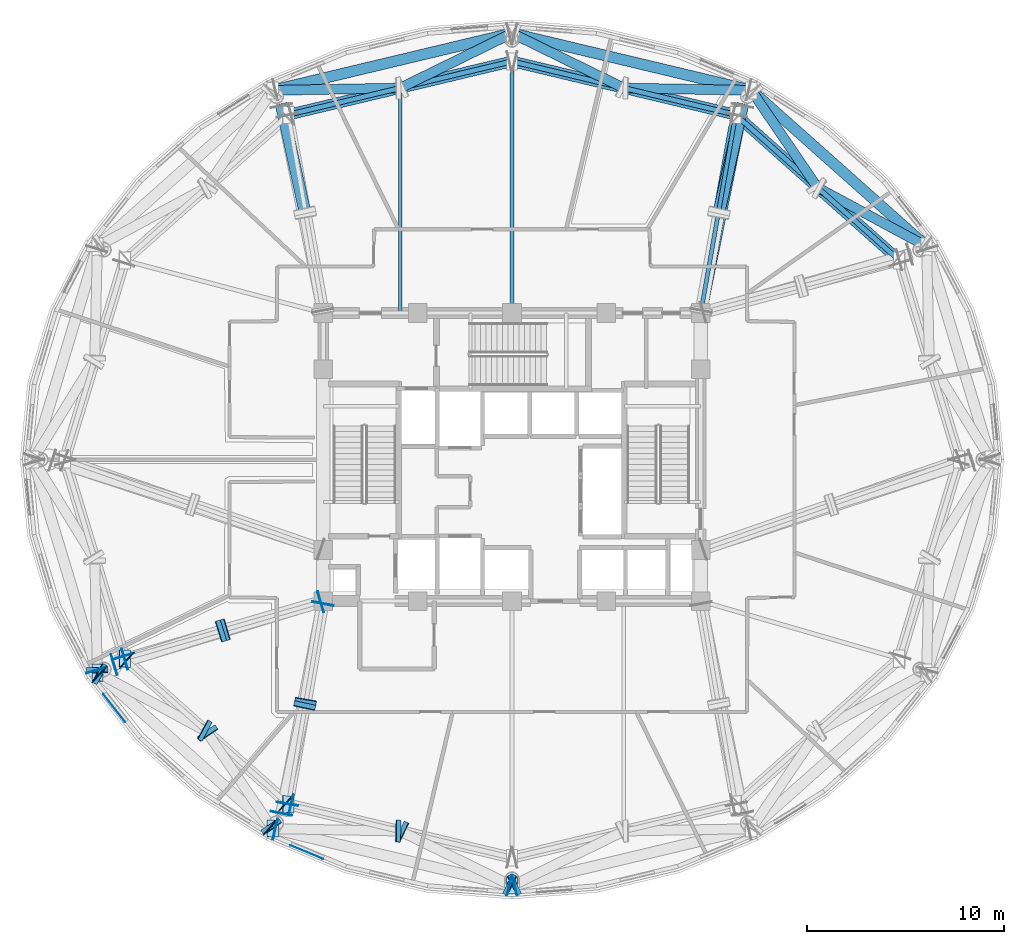
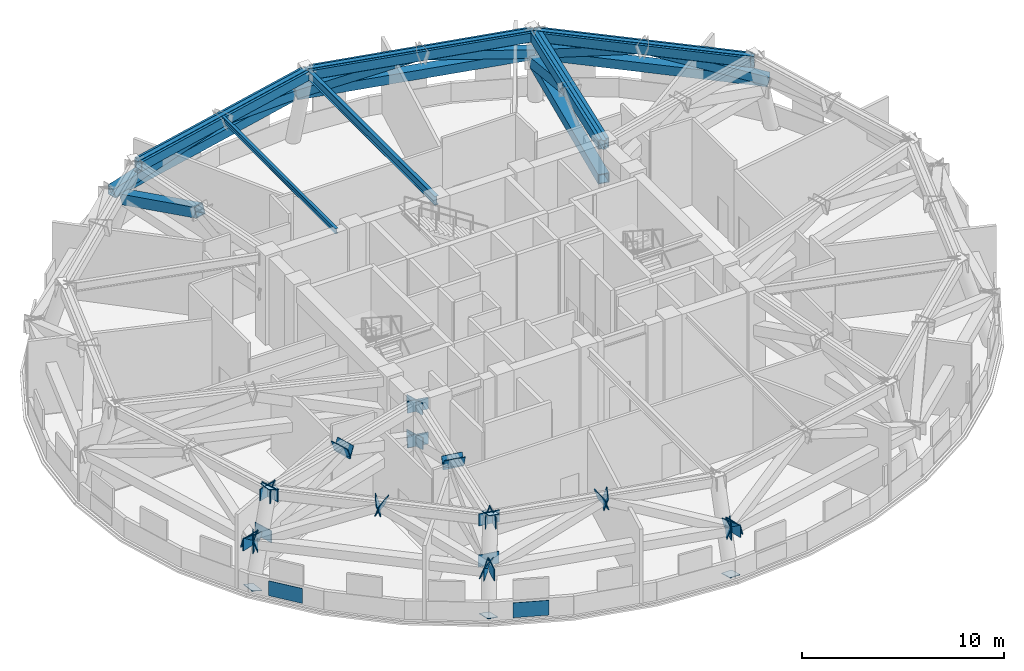
# One storey, part 3 of 13: 38 plates, 16 members, 6 beams.
"""IFC4 building model written with IfcOpenShell, lengths in metres."""

from ifc_helpers import new_model, si_unit, direction, frame, origin, origin_2d, place, context, subcontext, project, spatial, polyline, rectangle, hollow_rectangle, i_section, outline, extrude, material, layer, layer_set, material_profile, profile_set, type_object, element, save


model = new_model("IFC4")

# Units and contexts
model_context = context("Model", 3, precision=1e-05, world=origin(), true_north=direction((0.0, 1.0)))
body_context = subcontext(model_context, "Body", "Model", "MODEL_VIEW")
ifc_project = project(units=[si_unit("LENGTHUNIT", "METRE"), si_unit("AREAUNIT", "SQUARE_METRE"), si_unit("VOLUMEUNIT", "CUBIC_METRE"), si_unit("PLANEANGLEUNIT", "RADIAN"), si_unit("MASSUNIT", "GRAM", prefix="KILO")], contexts=[model_context])

# Site, building, storey
site_placement = place(None, origin())
site = spatial("IfcSite", under=ifc_project, at=site_placement, CompositionType="ELEMENT")
building_placement = place(site_placement, origin())
building = spatial("IfcBuilding", under=site, at=building_placement, Name="Vantalir Tower", CompositionType="ELEMENT")
storey_placement = place(building_placement, frame((0.0, 0.0, 175.949951171875)))
storey = spatial("IfcBuildingStorey", under=building, at=storey_placement, Name="L44", CompositionType="ELEMENT", Elevation=175.949951171875)

# Beams
ifc_material_1 = material(Name="Steel S355", Category="steel")
ifc_material_profile_1 = material_profile(ifc_material_1, i_section(OverallWidth=0.166015625, OverallDepth=0.306884765625, WebThickness=0.006591796875, FlangeThickness=0.01171875, at=origin_2d()), Name="Steel S355")
ifc_profile_set_1 = profile_set([ifc_material_profile_1], Name="Steel S355")
beam_type_1 = type_object("IfcBeamType", Name="BM-JS-305x165", PredefinedType="JOIST", material=ifc_profile_set_1)
beam_1_placement = place(storey_placement, frame((25.81201171875, 43.85205078125, 5.066162109375), z_axis=(0.0, -1.0, 0.0), x_axis=(1.0, 0.0, 0.0)))
element("IfcBeam", 1, at=beam_1_placement, inside=storey, type_object=beam_type_1, Name="L44 Composite Trim Joist 01", PredefinedType="JOIST", context=body_context, shape_type="SweptSolid", body=[
    extrude(i_section(OverallWidth=0.166015625, OverallDepth=0.306884765625, WebThickness=0.006591796875, FlangeThickness=0.01171875, at=origin_2d()), origin(), (0.0, 0.0, 1.0), 11.35693359375),
])
ifc_material_profile_2 = material_profile(ifc_material_1, i_section(OverallWidth=0.2109375, OverallDepth=0.5390625, WebThickness=0.01171875, FlangeThickness=0.018798828125, at=origin_2d()), Name="Steel S355")
ifc_profile_set_2 = profile_set([ifc_material_profile_2], Name="Steel S355")
beam_type_2 = type_object("IfcBeamType", Name="BM-RB-533x210", PredefinedType="BEAM", material=ifc_profile_set_2)
beam_2_placement = place(storey_placement, frame((42.875, 42.5400390625, 4.949951171875), z_axis=(-0.173245609585, -0.984878651794, 0.0), x_axis=(0.984878651794, -0.173245609585, 0.0)))
element("IfcBeam", 2, at=beam_2_placement, inside=storey, type_object=beam_type_2, Name="L44 Radial Floor Beam 03", PredefinedType="BEAM", context=body_context, shape_type="SweptSolid", body=[
    extrude(i_section(OverallWidth=0.2109375, OverallDepth=0.5390625, WebThickness=0.01171875, FlangeThickness=0.018798828125, at=origin_2d()), origin(), (0.0, 0.0, 1.0), 10.2451171875),
])
beam_3_placement = place(storey_placement, frame((31.5, 45.25390625, 4.949951171875), z_axis=(0.0, -1.0, 0.0), x_axis=(1.0, 0.0, 0.0)))
element("IfcBeam", 3, at=beam_3_placement, inside=storey, type_object=beam_type_2, Name="L44 Radial Floor Beam 04", PredefinedType="BEAM", context=body_context, shape_type="SweptSolid", body=[
    extrude(i_section(OverallWidth=0.2109375, OverallDepth=0.5390625, WebThickness=0.01171875, FlangeThickness=0.018798828125, at=origin_2d()), origin(), (0.0, 0.0, 1.0), 12.803955078125),
])
ifc_material_2 = material(Name="Steel S460", Category="steel")
ifc_material_profile_3 = material_profile(ifc_material_2, i_section(OverallWidth=0.256103515625, OverallDepth=0.693115234375, WebThickness=0.014404296875, FlangeThickness=0.023681640625, at=origin_2d()), Name="Steel S460")
ifc_profile_set_3 = profile_set([ifc_material_profile_3], Name="Steel S460")
beam_type_3 = type_object("IfcBeamType", Name="BM-RG-686x254", PredefinedType="USERDEFINED", material=ifc_profile_set_3)
beam_4_placement = place(storey_placement, frame((51.201904296875, 35.126953125, 4.8740234375), z_axis=(-0.746901653095, 0.664934523546, 0.0), x_axis=(-0.664934523546, -0.746901653095, 0.0)))
element("IfcBeam", 4, at=beam_4_placement, inside=storey, type_object=beam_type_3, Name="L44 Circumferential Ring Girder 02", ObjectType="GIRDER", PredefinedType="USERDEFINED", context=body_context, shape_type="SweptSolid", body=[
    extrude(i_section(OverallWidth=0.256103515625, OverallDepth=0.693115234375, WebThickness=0.014404296875, FlangeThickness=0.023681640625, at=origin_2d()), origin(), (0.0, 0.0, 1.0), 11.148681640625),
])
for number, where, z_axis, x_axis, name in (
    (5, (42.875, 42.5400390625, 4.8740234375), (-0.972699486774, 0.232068327073, 0.0), (-0.232068327073, -0.972699486774, 0.0), "L44 Circumferential Ring Girder 03"),
    (6, (31.5, 45.25390625, 4.8740234375), (-0.972699486774, -0.232068327073, 0.0), (0.232068327073, -0.972699486774, 0.0), "L44 Circumferential Ring Girder 04"),
):
    element("IfcBeam", number, at=place(storey_placement, frame(where, z_axis=z_axis, x_axis=x_axis)), inside=storey, type_object=beam_type_3, Name=name, ObjectType="GIRDER", PredefinedType="USERDEFINED", context=body_context, shape_type="SweptSolid", body=[
        extrude(i_section(OverallWidth=0.256103515625, OverallDepth=0.693115234375, WebThickness=0.014404296875, FlangeThickness=0.023681640625, at=origin_2d()), origin(), (0.0, 0.0, 1.0), 11.6943359375),
    ])

# Members
ifc_material_profile_4 = material_profile(ifc_material_2, hollow_rectangle(XDim=0.5, YDim=0.5, WallThickness=0.035888671875, at=origin_2d()), Name="Steel S460")
ifc_profile_set_4 = profile_set([ifc_material_profile_4], Name="Steel S460")
member_type_1 = type_object("IfcMemberType", Name="MEM-BT-500x36", PredefinedType="BRACE", material=ifc_profile_set_4)
member_1_placement = place(storey_placement, frame((52.462890625, 35.908935546875, 2.866943359375), z_axis=(-0.835108312997, 0.45020100553, 0.316090430388), x_axis=(-0.474530634591, -0.880238988477, 0.0)))
element("IfcMember", 7, at=member_1_placement, inside=storey, type_object=member_type_1, Name="L44 Belt Truss Web Diagonal 02A", PredefinedType="BRACE", context=body_context, shape_type="SweptSolid", body=[
    extrude(hollow_rectangle(XDim=0.5, YDim=0.5, WallThickness=0.035888671875, at=origin_2d()), origin(), (0.0, 0.0, 1.0), 6.375244140625),
])
member_2_placement = place(storey_placement, frame((43.7548828125, 43.659912109375, 2.8701171875), z_axis=(0.530761981348, -0.780087321486, 0.331293661292), x_axis=(0.826777344391, 0.562529308394, 0.0)))
element("IfcMember", 8, at=member_2_placement, inside=storey, type_object=member_type_1, Name="L44 Belt Truss Web Diagonal 02B", PredefinedType="BRACE", context=body_context, shape_type="SweptSolid", body=[
    extrude(hollow_rectangle(XDim=0.5, YDim=0.5, WallThickness=0.035888671875, at=origin_2d()), origin(), (0.0, 0.0, 1.0), 6.067138671875),
])
member_3_placement = place(storey_placement, frame((43.531982421875, 43.780029296875, 2.865966796875), z_axis=(-0.951230406233, 0.017557391697, 0.307981253088), x_axis=(-0.018454416098, -0.999829702763, 0.0)))
element("IfcMember", 9, at=member_3_placement, inside=storey, type_object=member_type_1, Name="L44 Belt Truss Web Diagonal 03A", PredefinedType="BRACE", context=body_context, shape_type="SweptSolid", body=[
    extrude(hollow_rectangle(XDim=0.5, YDim=0.5, WallThickness=0.035888671875, at=origin_2d()), origin(), (0.0, 0.0, 1.0), 6.54931640625),
])
for number, where, z_axis, x_axis, name in (
    (10, (31.6279296875, 46.618896484375, 2.866943359375), (0.8524646674, -0.417384275234, 0.314792562845), (0.439740463391, 0.898124893796, 0.0), "L44 Belt Truss Web Diagonal 03B"),
    (11, (31.3720703125, 46.618896484375, 2.866943359375), (-0.8524646674, -0.417384275234, 0.314792562845), (0.439740463391, -0.898124893796, 0.0), "L44 Belt Truss Web Diagonal 04A"),
):
    element("IfcMember", number, at=place(storey_placement, frame(where, z_axis=z_axis, x_axis=x_axis)), inside=storey, type_object=member_type_1, Name=name, PredefinedType="BRACE", context=body_context, shape_type="SweptSolid", body=[
        extrude(hollow_rectangle(XDim=0.5, YDim=0.5, WallThickness=0.035888671875, at=origin_2d()), origin(), (0.0, 0.0, 1.0), 6.4013671875),
    ])
member_4_placement = place(storey_placement, frame((19.468017578125, 43.780029296875, 2.865966796875), z_axis=(0.951230406233, 0.017557391697, 0.307981253088), x_axis=(-0.018454416098, 0.999829702763, 0.0)))
element("IfcMember", 12, at=member_4_placement, inside=storey, type_object=member_type_1, Name="L44 Belt Truss Web Diagonal 04B", PredefinedType="BRACE", context=body_context, shape_type="SweptSolid", body=[
    extrude(hollow_rectangle(XDim=0.5, YDim=0.5, WallThickness=0.035888671875, at=origin_2d()), origin(), (0.0, 0.0, 1.0), 6.54931640625),
])
ifc_material_profile_5 = material_profile(ifc_material_2, hollow_rectangle(XDim=0.550048828125, YDim=0.550048828125, WallThickness=0.035888671875, at=origin_2d()), Name="Steel S460")
ifc_profile_set_5 = profile_set([ifc_material_profile_5], Name="Steel S460")
member_type_2 = type_object("IfcMemberType", Name="MEM-CH-550x36", PredefinedType="CHORD", material=ifc_profile_set_5)
member_5_placement = place(storey_placement, frame((52.47607421875, 35.94091796875, 2.820068359375), z_axis=(-0.746873005069, 0.664966701647, 0.0), x_axis=(-0.664966701647, -0.746873005069, 0.0)))
element("IfcMember", 13, at=member_5_placement, inside=storey, type_object=member_type_2, Name="L44 Belt Truss Bottom Chord 02", PredefinedType="CHORD", context=body_context, shape_type="SweptSolid", body=[
    extrude(hollow_rectangle(XDim=0.550048828125, YDim=0.550048828125, WallThickness=0.035888671875, at=origin_2d()), origin(), (0.0, 0.0, 1.0), 11.6337890625),
])
member_6_placement = place(storey_placement, frame((51.090087890625, 35.22705078125, 4.920166015625), z_axis=(-0.746942270971, 0.664888895859, 0.0), x_axis=(-0.664888895859, -0.746942270971, 0.0)))
element("IfcMember", 14, at=member_6_placement, inside=storey, type_object=member_type_2, Name="L44 Belt Truss Top Chord 02", PredefinedType="CHORD", context=body_context, shape_type="SweptSolid", body=[
    extrude(hollow_rectangle(XDim=0.550048828125, YDim=0.550048828125, WallThickness=0.035888671875, at=origin_2d()), origin(), (0.0, 0.0, 1.0), 10.84814453125),
])
member_7_placement = place(storey_placement, frame((43.529052734375, 43.81201171875, 2.820068359375), z_axis=(-0.972701690789, 0.232059088888, 0.0), x_axis=(-0.232059088888, -0.972701690789, 0.0)))
element("IfcMember", 15, at=member_7_placement, inside=storey, type_object=member_type_2, Name="L44 Belt Truss Bottom Chord 03", PredefinedType="CHORD", context=body_context, shape_type="SweptSolid", body=[
    extrude(hollow_rectangle(XDim=0.550048828125, YDim=0.550048828125, WallThickness=0.035888671875, at=origin_2d()), origin(), (0.0, 0.0, 1.0), 12.216552734375),
])
member_8_placement = place(storey_placement, frame((42.72900390625, 42.574951171875, 4.920166015625), z_axis=(-0.972702660825, 0.232055022838, 0.0), x_axis=(-0.232055022838, -0.972702660825, 0.0)))
element("IfcMember", 16, at=member_8_placement, inside=storey, type_object=member_type_2, Name="L44 Belt Truss Top Chord 03", PredefinedType="CHORD", context=body_context, shape_type="SweptSolid", body=[
    extrude(hollow_rectangle(XDim=0.550048828125, YDim=0.550048828125, WallThickness=0.035888671875, at=origin_2d()), origin(), (0.0, 0.0, 1.0), 11.39404296875),
])
member_9_placement = place(storey_placement, frame((31.35400390625, 46.64697265625, 2.820068359375), z_axis=(-0.972701690789, -0.232059088888, 0.0), x_axis=(0.232059088888, -0.972701690789, 0.0)))
element("IfcMember", 17, at=member_9_placement, inside=storey, type_object=member_type_2, Name="L44 Belt Truss Bottom Chord 04", PredefinedType="CHORD", context=body_context, shape_type="SweptSolid", body=[
    extrude(hollow_rectangle(XDim=0.550048828125, YDim=0.550048828125, WallThickness=0.035888671875, at=origin_2d()), origin(), (0.0, 0.0, 1.0), 12.216552734375),
])
member_10_placement = place(storey_placement, frame((31.35400390625, 45.218994140625, 4.920166015625), z_axis=(-0.972702660825, -0.232055022838, 0.0), x_axis=(0.232055022838, -0.972702660825, 0.0)))
element("IfcMember", 18, at=member_10_placement, inside=storey, type_object=member_type_2, Name="L44 Belt Truss Top Chord 04", PredefinedType="CHORD", context=body_context, shape_type="SweptSolid", body=[
    extrude(hollow_rectangle(XDim=0.550048828125, YDim=0.550048828125, WallThickness=0.035888671875, at=origin_2d()), origin(), (0.0, 0.0, 1.0), 11.39404296875),
])
ifc_material_profile_6 = material_profile(ifc_material_2, hollow_rectangle(XDim=0.580078125, YDim=0.580078125, WallThickness=0.0380859375, at=origin_2d()), Name="Steel S460")
ifc_profile_set_6 = profile_set([ifc_material_profile_6], Name="Steel S460")
member_type_3 = type_object("IfcMemberType", Name="MEM-CH-580x38", PredefinedType="CHORD", material=ifc_profile_set_6)
member_11_placement = place(storey_placement, frame((41.1298828125, 32.596923828125, 2.820068359375), z_axis=(0.197998784124, 0.980202265599, 0.0), x_axis=(-0.980202265599, 0.197998784124, 0.0)))
element("IfcMember", 19, at=member_11_placement, inside=storey, type_object=member_type_3, Name="L44 Outrigger Truss Bottom Chord 03", PredefinedType="CHORD", context=body_context, shape_type="SweptSolid", body=[
    extrude(hollow_rectangle(XDim=0.580078125, YDim=0.580078125, WallThickness=0.0380859375, at=origin_2d()), origin(), (0.0, 0.0, 1.0), 10.5966796875),
])
member_12_placement = place(storey_placement, frame((41.126953125, 32.597900390625, 4.920166015625), z_axis=(0.178044343758, 0.984022465016, 0.0), x_axis=(-0.984022465016, 0.178044343758, 0.0)))
element("IfcMember", 20, at=member_12_placement, inside=storey, type_object=member_type_3, Name="L44 Outrigger Truss Top Chord 03", PredefinedType="CHORD", context=body_context, shape_type="SweptSolid", body=[
    extrude(hollow_rectangle(XDim=0.580078125, YDim=0.580078125, WallThickness=0.0380859375, at=origin_2d()), origin(), (0.0, 0.0, 1.0), 10.06494140625),
])
ifc_material_profile_7 = material_profile(ifc_material_2, hollow_rectangle(XDim=0.60009765625, YDim=0.60009765625, WallThickness=0.0400390625, at=origin_2d()), Name="Steel S460")
ifc_profile_set_7 = profile_set([ifc_material_profile_7], Name="Steel S460")
member_type_4 = type_object("IfcMemberType", Name="MEM-OR-600x40", PredefinedType="BRACE", material=ifc_profile_set_7)
for number, where, z_axis, x_axis, name in (
    (21, (42.047119140625, 37.659912109375, 4.879150390625), (0.202738597073, 0.91649759339, -0.344861164192), (-0.97639586224, 0.215988703872, 0.0), "L44 Outrigger Truss Diagonal 03B"),
    (22, (20.952880859375, 37.659912109375, 4.879150390625), (-0.202738597073, 0.91649759339, -0.344861164192), (-0.97639586224, -0.215988703872, 0.0), "L44 Outrigger Truss Diagonal 04B"),
):
    element("IfcMember", number, at=place(storey_placement, frame(where, z_axis=z_axis, x_axis=x_axis)), inside=storey, type_object=member_type_4, Name=name, PredefinedType="BRACE", context=body_context, shape_type="SweptSolid", body=[
        extrude(hollow_rectangle(XDim=0.60009765625, YDim=0.60009765625, WallThickness=0.0400390625, at=origin_2d()), origin(), (0.0, 0.0, 1.0), 5.820068359375),
    ])

# Plates
ifc_layer_1 = layer(ifc_material_2, 0.044921875)
ifc_layer_set_1 = layer_set([ifc_layer_1], Name="Steel S460")
plate_type_1 = type_object("IfcPlateType", Name="PLT-BN-01", PredefinedType="USERDEFINED", material=ifc_layer_set_1)
for number, where, z_axis, x_axis, name in (
    (23, (10.373046875, 14.2880859375, 2.4599609375), (0.0, 0.0, 1.0), (0.28812941634, -0.957591478366, 0.0), "Node Cap Plate MEM-L44-BTCB-07 End"),
    (24, (11.759033203125, 15.001953125, 4.56005859375), (0.0, 0.0, 1.0), (0.288212980863, -0.957566330685, 0.0), "Node Cap Plate MEM-L44-BTCT-07 End"),
):
    element("IfcPlate", number, at=place(storey_placement, frame(where, z_axis=z_axis, x_axis=x_axis)), inside=storey, type_object=plate_type_1, Name=name, ObjectType="FLANGE_PLATE", PredefinedType="USERDEFINED", context=body_context, shape_type="SweptSolid", body=[
        extrude(rectangle(XDim=0.044921875, YDim=1.10009765625, at=origin_2d()), origin(), (0.0, 0.0, 1.0), 0.719970703125),
    ])
plate_1_placement = place(storey_placement, frame((10.955322265625, 14.443603515625, 2.53564453125), z_axis=(-0.022530398659, 0.939601070003, 0.341529223326), x_axis=(-0.999712635233, -0.023971794983, 0.0)))
element("IfcPlate", 25, at=plate_1_placement, inside=storey, type_object=plate_type_1, Name="Node Cap Plate MEM-L44-BTDG-07B Start", ObjectType="FLANGE_PLATE", PredefinedType="USERDEFINED", context=body_context, shape_type="SweptSolid", body=[
    extrude(outline(polyline([(0.0, 0.0), (1.0999254548216215, 0.0), (1.0999612200322357, 0.7200538161872801), (3.5765210614329966e-05, 0.7200538161872801), (0.0, 0.0)])), origin(), (0.0, 0.0, -1.0), 0.044921875),
])
for number, where, z_axis, x_axis, name in (
    (26, (10.512939453125, 14.069091796875, 2.4599609375), (0.0, 0.0, 1.0), (0.746858739968, -0.664982723485, 0.0), "Node Cap Plate MEM-L44-BTCB-08 Start"),
    (27, (19.22412109375, 6.31298828125, 2.4599609375), (0.0, 0.0, 1.0), (0.746858739968, -0.664982723485, 0.0), "Node Cap Plate MEM-L44-BTCB-08 End"),
    (28, (11.89892578125, 14.782958984375, 4.56005859375), (0.0, 0.0, 1.0), (0.7469051627, -0.664930581288, 0.0), "Node Cap Plate MEM-L44-BTCT-08 Start"),
    (29, (20.02392578125, 7.550048828125, 4.56005859375), (0.0, 0.0, 1.0), (0.7469051627, -0.664930581288, 0.0), "Node Cap Plate MEM-L44-BTCT-08 End"),
):
    element("IfcPlate", number, at=place(storey_placement, frame(where, z_axis=z_axis, x_axis=x_axis)), inside=storey, type_object=plate_type_1, Name=name, ObjectType="FLANGE_PLATE", PredefinedType="USERDEFINED", context=body_context, shape_type="SweptSolid", body=[
        extrude(rectangle(XDim=0.044921875, YDim=1.10009765625, at=origin_2d()), origin(), (0.0, 0.0, 1.0), 0.719970703125),
    ])
plate_2_placement = place(storey_placement, frame((10.383056640625, 13.5498046875, 2.5283203125), z_axis=(0.835172745071, -0.450226759698, 0.315883444869), x_axis=(0.474523300623, 0.880242942128, 0.0)))
element("IfcPlate", 30, at=plate_2_placement, inside=storey, type_object=plate_type_1, Name="Node Cap Plate MEM-L44-BTDG-08A Start", ObjectType="FLANGE_PLATE", PredefinedType="USERDEFINED", context=body_context, shape_type="SweptSolid", body=[
    extrude(outline(polyline([(0.0, 0.0), (1.0999937317409516, 2.7755575615628914e-17), (1.0999835447072492, 0.7199693370562762), (-1.0187033702493964e-05, 0.7199693370562762), (0.0, 0.0)])), origin(), (0.0, 0.0, -1.0), 0.044921875),
])
plate_3_placement = place(storey_placement, frame((15.731201171875, 10.665771484375, 4.55224609375), z_axis=(0.835084781028, -0.450389900811, 0.315883436955), x_axis=(0.474695244348, 0.880150228651, 0.0)))
element("IfcPlate", 31, at=plate_3_placement, inside=storey, type_object=plate_type_1, Name="Node Cap Plate MEM-L44-BTDG-08A End", ObjectType="FLANGE_PLATE", PredefinedType="USERDEFINED", context=body_context, shape_type="SweptSolid", body=[
    extrude(outline(polyline([(0.0, 0.0), (1.1001096031464725, 2.7755575615628914e-17), (1.1000549890591473, 0.7199693350569389), (-5.4614087325252636e-05, 0.7199693350569389), (0.0, 0.0)])), origin(), (0.0, 0.0, -1.0), 0.044921875),
])
plate_4_placement = place(storey_placement, frame((19.628662109375, 6.754150390625, 2.53271484375), z_axis=(-0.530779378566, 0.780095949954, 0.331245468128), x_axis=(-0.826777325998, -0.562529334696, -2.8678365e-05)))
element("IfcPlate", 32, at=plate_4_placement, inside=storey, type_object=plate_type_1, Name="Node Cap Plate MEM-L44-BTDG-08B Start", ObjectType="FLANGE_PLATE", PredefinedType="USERDEFINED", context=body_context, shape_type="SweptSolid", body=[
    extrude(outline(polyline([(0.0, 0.0), (1.099901092153654, 2.7755575615628914e-17), (1.0998318444108621, 0.7201301247598484), (-0.00020658400614543152, 0.7200632591679851), (0.0, 0.0)])), origin(), (0.0, 0.0, -1.0), 0.044921875),
])
plate_5_placement = place(storey_placement, frame((16.39306640625, 11.509765625, 4.552978515625), z_axis=(-0.530662207426, 0.780077633252, 0.331476255123), x_axis=(-0.826823276387, -0.562461793924, 0.0)))
element("IfcPlate", 33, at=plate_5_placement, inside=storey, type_object=plate_type_1, Name="Node Cap Plate MEM-L44-BTDG-08B End", ObjectType="FLANGE_PLATE", PredefinedType="USERDEFINED", context=body_context, shape_type="SweptSolid", body=[
    extrude(outline(polyline([(0.0, 0.0), (1.0999010962758868, 5.551115123125783e-17), (1.0998318402888887, 0.7198997887243856), (-6.925598699818042e-05, 0.7198997887243856), (0.0, 0.0)])), origin(), (0.0, 0.0, -1.0), 0.044921875),
])
for number, where, z_axis, x_axis, name in (
    (34, (19.4560546875, 6.19189453125, 2.4599609375), (0.0, 0.0, 1.0), (0.972694923667, -0.232087452208, 0.0), "Node Cap Plate MEM-L44-BTCB-09 Start"),
    (35, (31.368896484375, 3.34912109375, 2.4599609375), (0.0, 0.0, 1.0), (0.972694923667, -0.232087452208, 0.0), "Node Cap Plate MEM-L44-BTCB-09 End"),
    (36, (20.256103515625, 7.428955078125, 4.56005859375), (0.0, 0.0, 1.0), (0.972694923667, -0.232087452208, 0.0), "Node Cap Plate MEM-L44-BTCT-09 Start"),
):
    element("IfcPlate", number, at=place(storey_placement, frame(where, z_axis=z_axis, x_axis=x_axis)), inside=storey, type_object=plate_type_1, Name=name, ObjectType="FLANGE_PLATE", PredefinedType="USERDEFINED", context=body_context, shape_type="SweptSolid", body=[
        extrude(rectangle(XDim=0.044921875, YDim=1.10009765625, at=origin_2d()), origin(), (0.0, 0.0, 1.0), 0.719970703125),
    ])
plate_6_placement = place(storey_placement, frame((25.834228515625, 5.552490234375, 4.552001953125), z_axis=(0.951249757487, -0.017525800193, 0.307923278119), x_axis=(0.018420847216, 0.999830321799, 0.0)))
element("IfcPlate", 37, at=plate_6_placement, inside=storey, type_object=plate_type_1, Name="Node Cap Plate MEM-L44-BTDG-09A End", ObjectType="FLANGE_PLATE", PredefinedType="USERDEFINED", context=body_context, shape_type="SweptSolid", body=[
    extrude(outline(polyline([(0.0, 0.0), (1.1000401684622838, 8.673617379884035e-19), (1.10010632720208, 0.7200447083939903), (6.615873979627911e-05, 0.7200447083939903), (0.0, 0.0)])), origin(), (0.0, 0.0, -1.0), 0.044921875),
])
plate_7_placement = place(storey_placement, frame((31.50537109375, 3.927734375, 2.528076171875), z_axis=(-0.85245090665, 0.417430241326, 0.314768876125), x_axis=(-0.439780725285, -0.898105179496, 1.5197871e-05)))
element("IfcPlate", 38, at=plate_7_placement, inside=storey, type_object=plate_type_1, Name="Node Cap Plate MEM-L44-BTDG-09B Start", ObjectType="FLANGE_PLATE", PredefinedType="USERDEFINED", context=body_context, shape_type="SweptSolid", body=[
    extrude(outline(polyline([(0.0, 0.0), (1.0998386652902303, 0.0), (1.100090182158179, 0.7199280203558638), (-7.511543302310998e-05, 0.719963246325796), (0.0, 0.0)])), origin(), (0.0, 0.0, -1.0), 0.044921875),
])
plate_8_placement = place(storey_placement, frame((26.0234375, 6.612060546875, 4.55224609375), z_axis=(-0.8524505382, 0.417481646427, 0.314701691794), x_axis=(-0.439837951406, -0.898077154601, -2.9771927e-05)))
element("IfcPlate", 39, at=plate_8_placement, inside=storey, type_object=plate_type_1, Name="Node Cap Plate MEM-L44-BTDG-09B End", ObjectType="FLANGE_PLATE", PredefinedType="USERDEFINED", context=body_context, shape_type="SweptSolid", body=[
    extrude(outline(polyline([(0.0, 0.0), (1.0999460417976532, 0.0), (1.0998257527306279, 0.7199632346339168), (-1.2906754670210561e-05, 0.7198942370824807), (0.0, 0.0)])), origin(), (0.0, 0.0, -1.0), 0.044921875),
])
plate_9_placement = place(storey_placement, frame((31.631103515625, 3.34912109375, 2.4599609375), z_axis=(0.0, 0.0, 1.0), x_axis=(0.972694923667, 0.232087452208, 0.0)))
element("IfcPlate", 40, at=plate_9_placement, inside=storey, type_object=plate_type_1, Name="Node Cap Plate MEM-L44-BTCB-10 Start", ObjectType="FLANGE_PLATE", PredefinedType="USERDEFINED", context=body_context, shape_type="SweptSolid", body=[
    extrude(rectangle(XDim=0.044921875, YDim=1.10009765625, at=origin_2d()), origin(), (0.0, 0.0, 1.0), 0.719970703125),
])
plate_10_placement = place(storey_placement, frame((31.978271484375, 2.93994140625, 2.528076171875), z_axis=(0.85245090665, 0.417430241326, 0.314768876125), x_axis=(-0.439780725285, 0.898105179496, -1.5197871e-05)))
element("IfcPlate", 41, at=plate_10_placement, inside=storey, type_object=plate_type_1, Name="Node Cap Plate MEM-L44-BTDG-10A Start", ObjectType="FLANGE_PLATE", PredefinedType="USERDEFINED", context=body_context, shape_type="SweptSolid", body=[
    extrude(outline(polyline([(0.0, 0.0), (1.0998386652902303, 0.0), (1.0999137807232535, 0.7199632463257959), (-0.0002515168679487558, 0.7199280203558638), (0.0, 0.0)])), origin(), (0.0, 0.0, -1.0), 0.044921875),
])
for number, where, z_axis, x_axis, name in (
    (42, (21.77099609375, 17.760986328125, 2.4599609375), (0.0, 0.0, 1.0), (-0.956869377238, -0.290518493221, 0.0), "Node Cap Plate MEM-L44-ORCB-06 Start"),
    (43, (11.264892578125, 14.571044921875, 2.4599609375), (0.0, 0.0, 1.0), (-0.956869377238, -0.290518493221, 0.0), "Node Cap Plate MEM-L44-ORCB-06 End"),
    (44, (21.77001953125, 17.761962890625, 4.56005859375), (0.0, 0.0, 1.0), (-0.959795494274, -0.280700212275, 0.0), "Node Cap Plate MEM-L44-ORCT-06 Start"),
    (45, (11.803955078125, 14.846923828125, 4.56005859375), (0.0, 0.0, 1.0), (-0.959795494274, -0.280700212275, 0.0), "Node Cap Plate MEM-L44-ORCT-06 End"),
):
    element("IfcPlate", number, at=place(storey_placement, frame(where, z_axis=z_axis, x_axis=x_axis)), inside=storey, type_object=plate_type_1, Name=name, ObjectType="FLANGE_PLATE", PredefinedType="USERDEFINED", context=body_context, shape_type="SweptSolid", body=[
        extrude(rectangle(XDim=0.044921875, YDim=1.10009765625, at=origin_2d()), origin(), (0.0, 0.0, 1.0), 0.719970703125),
    ])
plate_11_placement = place(storey_placement, frame((16.580322265625, 16.8173828125, 4.5546875), z_axis=(-0.892932657646, -0.261200095253, 0.366668486715), x_axis=(0.280750134807, -0.959780892544, -1.0626894e-05)))
element("IfcPlate", 46, at=plate_11_placement, inside=storey, type_object=plate_type_1, Name="Node Cap Plate MEM-L44-ORDG-06A End", ObjectType="FLANGE_PLATE", PredefinedType="USERDEFINED", context=body_context, shape_type="SweptSolid", body=[
    extrude(outline(polyline([(0.0, 0.0), (1.1001467970665217, 0.0), (1.100053068648553, 0.7200863826922426), (0.00014059308900007668, 0.7200612526292606), (0.0, 0.0)])), origin(), (0.0, 0.0, -1.0), 0.044921875),
])
plate_12_placement = place(storey_placement, frame((16.9921875, 15.79248046875, 4.552978515625), z_axis=(0.899323776072, 0.282202320056, 0.334033825153), x_axis=(-0.299399501848, 0.954127841693, 0.0)))
element("IfcPlate", 47, at=plate_12_placement, inside=storey, type_object=plate_type_1, Name="Node Cap Plate MEM-L44-ORDG-06B Start", ObjectType="FLANGE_PLATE", PredefinedType="USERDEFINED", context=body_context, shape_type="SweptSolid", body=[
    extrude(outline(polyline([(0.0, 0.0), (1.1000208787670578, 0.0), (1.1000130219402835, 0.7200710346594373), (-7.856826774149672e-06, 0.7200710346594373), (0.0, 0.0)])), origin(), (0.0, 0.0, -1.0), 0.044921875),
])
for number, where, z_axis, x_axis, name in (
    (48, (21.8740234375, 17.66796875, 2.4599609375), (0.0, 0.0, 1.0), (-0.193617960618, -0.981077002751, 0.0), "Node Cap Plate MEM-L44-ORCB-07 Start"),
    (49, (19.76904296875, 7.0009765625, 2.4599609375), (0.0, 0.0, 1.0), (-0.193617960618, -0.981077002751, 0.0), "Node Cap Plate MEM-L44-ORCB-07 End"),
    (50, (21.876953125, 17.6669921875, 4.56005859375), (0.0, 0.0, 1.0), (-0.173974742731, -0.984750114949, 0.0), "Node Cap Plate MEM-L44-ORCT-07 Start"),
    (51, (20.076904296875, 7.48291015625, 4.56005859375), (0.0, 0.0, 1.0), (-0.173974742731, -0.984750114949, 0.0), "Node Cap Plate MEM-L44-ORCT-07 End"),
):
    element("IfcPlate", number, at=place(storey_placement, frame(where, z_axis=z_axis, x_axis=x_axis)), inside=storey, type_object=plate_type_1, Name=name, ObjectType="FLANGE_PLATE", PredefinedType="USERDEFINED", context=body_context, shape_type="SweptSolid", body=[
        extrude(rectangle(XDim=0.044921875, YDim=1.10009765625, at=origin_2d()), origin(), (0.0, 0.0, 1.0), 0.719970703125),
    ])
plate_13_placement = place(storey_placement, frame((20.42578125, 12.6162109375, 4.5546875), z_axis=(-0.161802194107, -0.915606421117, 0.368082778178), x_axis=(0.984742647339, -0.174017006263, 6.608981e-06)))
element("IfcPlate", 52, at=plate_13_placement, inside=storey, type_object=plate_type_1, Name="Node Cap Plate MEM-L44-ORDG-07A End", ObjectType="FLANGE_PLATE", PredefinedType="USERDEFINED", context=body_context, shape_type="SweptSolid", body=[
    extrude(outline(polyline([(0.0, 0.0), (1.1000323386601314, 0.0), (1.0998188522906402, 0.7199734859754283), (2.6929315894286477e-05, 0.7199891223552842), (0.0, 0.0)])), origin(), (0.0, 0.0, -1.0), 0.044921875),
])
plate_14_placement = place(storey_placement, frame((21.523681640625, 12.50146484375, 4.55322265625), z_axis=(0.198961628231, 0.919714487245, 0.338436895807), x_axis=(-0.977388605491, 0.21145096988, -3.4546997e-05)))
element("IfcPlate", 53, at=plate_14_placement, inside=storey, type_object=plate_type_1, Name="Node Cap Plate MEM-L44-ORDG-07B Start", ObjectType="FLANGE_PLATE", PredefinedType="USERDEFINED", context=body_context, shape_type="SweptSolid", body=[
    extrude(outline(polyline([(0.0, 0.0), (1.099842481511663, 1.3877787807814457e-17), (1.0997831507596598, 0.7200170928807497), (-7.706980059791938e-06, 0.7199363366570893), (0.0, 0.0)])), origin(), (0.0, 0.0, -1.0), 0.044921875),
])
ifc_layer_2 = layer(ifc_material_2, 0.035888671875)
ifc_layer_set_2 = layer_set([ifc_layer_2], Name="Steel S460")
plate_type_2 = type_object("IfcPlateType", Name="PLT-KN-Z2", PredefinedType="USERDEFINED", material=ifc_layer_set_2)
for number, where, z_axis, x_axis, name in (
    (54, (11.524658203125, 15.322509765625, 5.26025390625), (0.254239181281, 0.131080684751, 0.958217247177), (-3.3795002e-05, -0.990771470567, 0.135542952488), "L44 Ring Column Top Cap RC08"),
    (55, (10.14501953125, 14.61181640625, 0.064208984375), (0.254239181281, 0.131080684751, 0.958217247177), (-3.3795002e-05, -0.990771470567, 0.135542952488), "L44 Ring Column Base Cap RC08"),
):
    element("IfcPlate", number, at=place(storey_placement, frame(where, z_axis=z_axis, x_axis=x_axis)), inside=storey, type_object=plate_type_2, Name=name, ObjectType="FLANGE_PLATE", PredefinedType="USERDEFINED", context=body_context, shape_type="SweptSolid", body=[
        extrude(outline(polyline([(0.0, 0.0), (0.879962262001957, -6.938893903907228e-18), (0.8799562490947439, 0.5801270728141198), (2.70786339216407e-05, 0.5800655765988753), (0.0, 0.0)])), origin(), (0.0, 0.0, -1.0), 0.035888671875),
    ])
plate_15_placement = place(storey_placement, frame((19.84228515625, 7.904296875, 5.187255859375), z_axis=(0.147464842294, 0.228018554352, 0.962424884944), x_axis=(-4.664774e-06, -0.973062933269, 0.23053964491)))
element("IfcPlate", 56, at=plate_15_placement, inside=storey, type_object=plate_type_2, Name="L44 Ring Column Top Cap RC09", ObjectType="FLANGE_PLATE", PredefinedType="USERDEFINED", context=body_context, shape_type="SweptSolid", body=[
    extrude(outline(polyline([(0.0, 0.0), (0.8799097050528047, -3.469446951953614e-18), (0.8799568526263267, 0.5800763756161351), (-0.00019041661917072739, 0.58006807459517), (0.0, 0.0)])), origin(), (0.0, 0.0, -1.0), 0.035888671875),
])
plate_16_placement = place(storey_placement, frame((19.0458984375, 6.673095703125, -0.0087890625), z_axis=(0.147512303995, 0.228047703414, 0.96241070502), x_axis=(0.0, -0.973055719843, 0.230570089304)))
element("IfcPlate", 57, at=plate_16_placement, inside=storey, type_object=plate_type_2, Name="L44 Ring Column Base Cap RC09", ObjectType="FLANGE_PLATE", PredefinedType="USERDEFINED", context=body_context, shape_type="SweptSolid", body=[
    extrude(outline(polyline([(0.0, 0.0), (0.8799097054930477, 0.0), (0.8799568521860602, 0.580076376284005), (4.714669301258273e-05, 0.580076376284005), (0.0, 0.0)])), origin(), (0.0, 0.0, -1.0), 0.035888671875),
])
plate_17_placement = place(storey_placement, frame((31.2099609375, 3.75634765625, -0.06494140625), z_axis=(0.0, 0.26382154268, 0.964571507779), x_axis=(0.0, -0.964571507779, 0.26382154268)))
element("IfcPlate", 58, at=plate_17_placement, inside=storey, type_object=plate_type_2, Name="L44 Ring Column Base Cap RC10", ObjectType="FLANGE_PLATE", PredefinedType="USERDEFINED", context=body_context, shape_type="SweptSolid", body=[
    extrude(outline(polyline([(0.0, 0.0), (0.8800560106528967, 0.0), (0.8800560106528967, 0.580078125), (0.0, 0.580078125), (0.0, 0.0)])), origin(), (0.0, 0.0, -1.0), 0.035888671875),
])
ifc_material_3 = material(Name="Champagne-silver PVDF aluminium cassette", Category="aluminium")
ifc_layer_3 = layer(ifc_material_3, 0.02392578125)
ifc_layer_set_3 = layer_set([ifc_layer_3], Name="Champagne-silver PVDF aluminium cassette")
plate_type_3 = type_object("IfcPlateType", Name="PLT-SC-01", PredefinedType="SHEET", material=ifc_layer_set_3)
for number, where, z_axis, x_axis, name in (
    (59, (11.26806640625, 12.364990234375, 0.10009765625), (0.0, 0.0, 1.0), (0.617585109014, -0.78650405792, 0.0), "L44 PVDF Aluminium Spandrel Cassette R22"),
    (60, (21.05908203125, 5.030029296875, 0.10009765625), (0.0, 0.0, 1.0), (0.923290683488, -0.384101957537, 0.0), "L44 PVDF Aluminium Spandrel Cassette R25"),
):
    element("IfcPlate", number, at=place(storey_placement, frame(where, z_axis=z_axis, x_axis=x_axis)), inside=storey, type_object=plate_type_3, Name=name, PredefinedType="SHEET", context=body_context, shape_type="SweptSolid", body=[
        extrude(rectangle(XDim=1.800048828125, YDim=0.02392578125, at=origin_2d()), origin(), (0.0, 0.0, 1.0), 0.89990234375),
    ])

save(model, "model.ifc")
